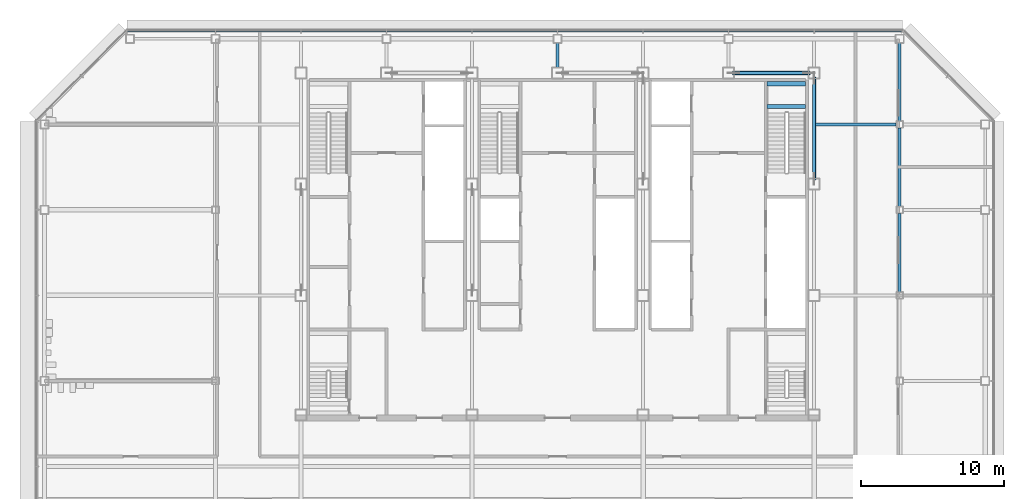
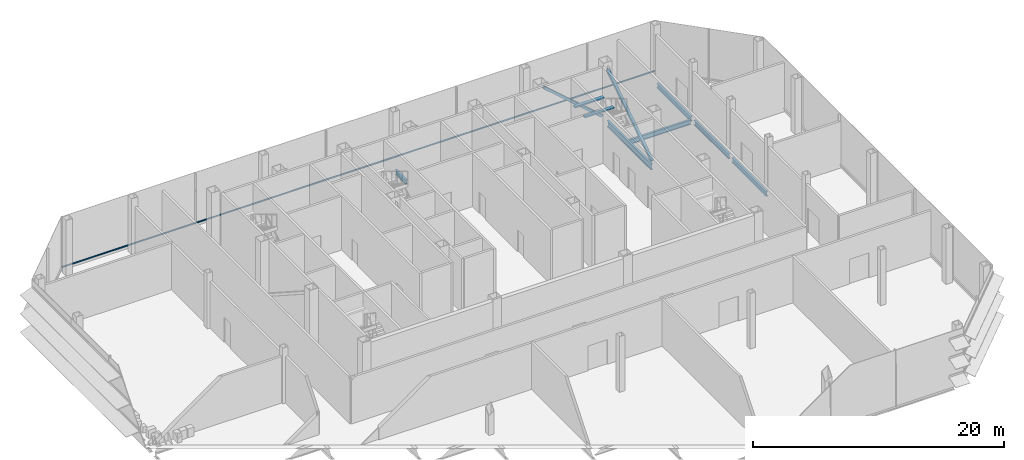
# One storey, part 13 of 26: 8 beams, 3 members, 1 element without a shape of its own.
"""IFC4 building model written with IfcOpenShell, lengths in metres."""

from ifc_helpers import new_model, si_unit, direction, frame, origin, origin_2d, place, context, subcontext, project, spatial, rectangle, hollow_rectangle, i_section, extrude, material, material_profile, profile_set, type_object, element, aggregate, save


model = new_model("IFC4")

# Units and contexts
model_context = context("Model", 3, precision=1e-05, world=origin(), true_north=direction((0.0, 1.0)))
body_context = subcontext(model_context, "Body", "Model", "MODEL_VIEW")
ifc_project = project(units=[si_unit("LENGTHUNIT", "METRE"), si_unit("AREAUNIT", "SQUARE_METRE"), si_unit("VOLUMEUNIT", "CUBIC_METRE"), si_unit("PLANEANGLEUNIT", "RADIAN"), si_unit("MASSUNIT", "GRAM", prefix="KILO")], contexts=[model_context])

# Site, building, storey
site_placement = place(None, origin())
site = spatial("IfcSite", under=ifc_project, at=site_placement, CompositionType="ELEMENT")
building_placement = place(site_placement, origin())
building = spatial("IfcBuilding", under=site, at=building_placement, Name="Sorahane Residences", CompositionType="ELEMENT")
storey_placement = place(building_placement, frame((0.0, 0.0, 257.60009765625)))
storey = spatial("IfcBuildingStorey", under=building, at=storey_placement, Name="L61", CompositionType="ELEMENT", Elevation=257.60009765625)

# Members
ifc_material_1 = material(Name="Steel Q355B", Category="steel")
ifc_material_profile_1 = material_profile(ifc_material_1, hollow_rectangle(XDim=0.25, YDim=0.25, WallThickness=0.013916015625, InnerFilletRadius=0.007080078125, OuterFilletRadius=0.02099609375, at=origin_2d()), Name="RHS 250x250x14")
ifc_profile_set_1 = profile_set([ifc_material_profile_1], Name="Steel Q355B")
member_type_1 = type_object("IfcMemberType", Name="Core brace RHS 250x250x14 Q355B", PredefinedType="BRACE", material=ifc_profile_set_1)
member_1_placement = place(storey_placement, frame((41.649169921875, 45.60009765625, 0.08203125), z_axis=(-0.754714070621, 0.0, 0.656053863343), x_axis=(0.0, -1.0, 0.0)))
element("IfcMember", 1, at=member_1_placement, inside=storey, type_object=member_type_1, Name="Core brace L61 y45.6-6", PredefinedType="BRACE", context=body_context, shape_type="SweptSolid", body=[
    extrude(hollow_rectangle(XDim=0.25, YDim=0.25, WallThickness=0.013916015625, InnerFilletRadius=0.007080078125, OuterFilletRadius=0.02099609375, at=origin_2d()), origin(), (0.0, 0.0, 1.0), 7.020263671875),
])
member_2_placement = place(storey_placement, frame((42.0, 38.159423828125, 0.0986328125), z_axis=(0.0, 0.840084199464, 0.54245602385), x_axis=(-1.0, 0.0, 0.0)))
element("IfcMember", 2, at=member_2_placement, inside=storey, type_object=member_type_1, Name="Core brace L61 x42-3", PredefinedType="BRACE", context=body_context, shape_type="SweptSolid", body=[
    extrude(hollow_rectangle(XDim=0.25, YDim=0.25, WallThickness=0.013916015625, InnerFilletRadius=0.007080078125, OuterFilletRadius=0.02099609375, at=origin_2d()), origin(), (0.0, 0.0, 1.0), 8.42919921875),
])

# Curtain wall, member
ifc_material_2 = material(Name="Dark low-e glass and black anodised aluminium", Category="aluminium")
curtain_wall_type = type_object("IfcCurtainWallType", Name="Curtain wall CW-4 Sky floor frameless wall", PredefinedType="NOTDEFINED", material=ifc_material_2)
curtain_wall_placement = place(storey_placement, origin())
curtain_wall = element("IfcCurtainWall", 3, at=curtain_wall_placement, inside=storey, type_object=curtain_wall_type, Name="CW-4 curtain wall L61 N1", PredefinedType="NOTDEFINED")
ifc_material_3 = material(Name="Black anodised aluminium", Category="aluminium")
ifc_material_profile_2 = material_profile(ifc_material_3, rectangle(XDim=0.10009765625, YDim=0.06005859375, at=origin_2d()), Name="Curtain wall transom CW-4 black anodised aluminium 60x100")
ifc_profile_set_2 = profile_set([ifc_material_profile_2], Name="Black anodised aluminium")
member_type_2 = type_object("IfcMemberType", Name="Curtain wall transom CW-4 black anodised aluminium 60x100", PredefinedType="USERDEFINED", material=ifc_profile_set_2)
member_3_placement = place(storey_placement, frame((48.198486328125, 48.530029296875, 0.349853515625), z_axis=(-1.0, 0.0, 0.0), x_axis=(0.0, -1.0, 0.0)))
member_3 = element("IfcMember", 4, at=member_3_placement, type_object=member_type_2, Name="CW-4 transom L61 N1", ObjectType="TRANSOM", PredefinedType="USERDEFINED", context=body_context, shape_type="SweptSolid", body=[
    extrude(rectangle(XDim=0.10009765625, YDim=0.06005859375, at=origin_2d()), origin(), (0.0, 0.0, 1.0), 54.39697265625),
])
aggregate(curtain_wall, [member_3])

# Beams
ifc_material_4 = material(Name="Concrete C40", Category="concrete")
ifc_material_profile_3 = material_profile(ifc_material_4, rectangle(XDim=0.300048828125, YDim=0.139892578125, at=origin_2d()), Name="300x140")
ifc_profile_set_3 = profile_set([ifc_material_profile_3], Name="Concrete C40")
beam_type_1 = type_object("IfcBeamType", Name="RC landing beam 300 x 140 Concrete C40", PredefinedType="BEAM", material=ifc_profile_set_3)
for number, where, z_axis, x_axis, name in (
    (5, (38.699951171875, 43.25, 2.429931640625), (1.0, 0.0, 0.0), (0.0, 1.0, 0.0), "Landing beam"),
    (6, (38.699951171875, 44.85009765625, 2.429931640625), (1.0, 0.0, 0.0), (0.0, 1.0, 0.0), "Landing beam"),
):
    element("IfcBeam", number, at=place(storey_placement, frame(where, z_axis=z_axis, x_axis=x_axis)), inside=storey, type_object=beam_type_1, Name=name, PredefinedType="BEAM", context=body_context, shape_type="SweptSolid", body=[
        extrude(rectangle(XDim=0.300048828125, YDim=0.139892578125, at=origin_2d()), origin(), (0.0, 0.0, 1.0), 2.699951171875),
    ])
ifc_material_5 = material(Name="Steel Q355B", Category="steel")
ifc_material_profile_4 = material_profile(ifc_material_5, i_section(OverallWidth=0.199951171875, OverallDepth=0.449951171875, WebThickness=0.009033203125, FlangeThickness=0.013916015625, FilletRadius=0.02001953125, at=origin_2d()), Name="HN 450x200x9x14")
ifc_profile_set_4 = profile_set([ifc_material_profile_4], Name="Steel Q355B")
beam_type_2 = type_object("IfcBeamType", Name="Steel floor beam HN 450x200x9x14 Q355B", PredefinedType="BEAM", material=ifc_profile_set_4)
beam_1_placement = place(storey_placement, frame((24.0, 46.0, -0.445068359375), z_axis=(0.0, 1.0, 0.0), x_axis=(-1.0, 0.0, 0.0)))
element("IfcBeam", 7, at=beam_1_placement, inside=storey, type_object=beam_type_2, Name="Beam L61 043", PredefinedType="BEAM", context=body_context, shape_type="SweptSolid", body=[
    extrude(i_section(OverallWidth=0.199951171875, OverallDepth=0.449951171875, WebThickness=0.009033203125, FlangeThickness=0.013916015625, FilletRadius=0.02001953125, at=origin_2d()), origin(), (0.0, 0.0, 1.0), 1.699951171875),
])
for number, where, z_axis, x_axis, name in (
    (8, (48.0, 30.25, -0.445068359375), (0.0, 1.0, 0.0), (-1.0, 0.0, 0.0), "Beam L61 061"),
    (9, (48.0, 36.25, -0.445068359375), (0.0, 1.0, 0.0), (-1.0, 0.0, 0.0), "Beam L61 062"),
):
    element("IfcBeam", number, at=place(storey_placement, frame(where, z_axis=z_axis, x_axis=x_axis)), inside=storey, type_object=beam_type_2, Name=name, PredefinedType="BEAM", context=body_context, shape_type="SweptSolid", body=[
        extrude(i_section(OverallWidth=0.199951171875, OverallDepth=0.449951171875, WebThickness=0.009033203125, FlangeThickness=0.013916015625, FilletRadius=0.02001953125, at=origin_2d()), origin(), (0.0, 0.0, 1.0), 5.5),
    ])
beam_2_placement = place(storey_placement, frame((48.0, 42.25, -0.445068359375), z_axis=(0.0, 1.0, 0.0), x_axis=(-1.0, 0.0, 0.0)))
element("IfcBeam", 10, at=beam_2_placement, inside=storey, type_object=beam_type_2, Name="Beam L61 063", PredefinedType="BEAM", context=body_context, shape_type="SweptSolid", body=[
    extrude(i_section(OverallWidth=0.199951171875, OverallDepth=0.449951171875, WebThickness=0.009033203125, FlangeThickness=0.013916015625, FilletRadius=0.02001953125, at=origin_2d()), origin(), (0.0, 0.0, 1.0), 5.449951171875),
])
beam_3_placement = place(storey_placement, frame((42.10009765625, 42.0, -0.445068359375), z_axis=(1.0, 0.0, 0.0), x_axis=(0.0, 1.0, 0.0)))
element("IfcBeam", 11, at=beam_3_placement, inside=storey, type_object=beam_type_2, Name="Beam L61 091", PredefinedType="BEAM", context=body_context, shape_type="SweptSolid", body=[
    extrude(i_section(OverallWidth=0.199951171875, OverallDepth=0.449951171875, WebThickness=0.009033203125, FlangeThickness=0.013916015625, FilletRadius=0.02001953125, at=origin_2d()), origin(), (0.0, 0.0, 1.0), 5.64990234375),
])
ifc_material_6 = material(Name="Steel Q355B", Category="steel")
ifc_material_profile_5 = material_profile(ifc_material_6, i_section(OverallWidth=0.199951171875, OverallDepth=0.60009765625, WebThickness=0.010986328125, FlangeThickness=0.01708984375, FilletRadius=0.02392578125, at=origin_2d()), Name="HN 600x200x11x17")
ifc_profile_set_5 = profile_set([ifc_material_profile_5], Name="Steel Q355B")
beam_type_3 = type_object("IfcBeamType", Name="Steel floor beam HN 600x200x11x17 Q355B", PredefinedType="BEAM", material=ifc_profile_set_5)
beam_4_placement = place(storey_placement, frame((42.0, 38.199951171875, -0.52001953125), z_axis=(0.0, 1.0, 0.0), x_axis=(-1.0, 0.0, 0.0)))
element("IfcBeam", 12, at=beam_4_placement, inside=storey, type_object=beam_type_3, Name="Beam L61 056", PredefinedType="BEAM", context=body_context, shape_type="SweptSolid", body=[
    extrude(i_section(OverallWidth=0.199951171875, OverallDepth=0.60009765625, WebThickness=0.010986328125, FlangeThickness=0.01708984375, FilletRadius=0.02392578125, at=origin_2d()), origin(), (0.0, 0.0, 1.0), 7.0),
])

save(model, "model.ifc")
